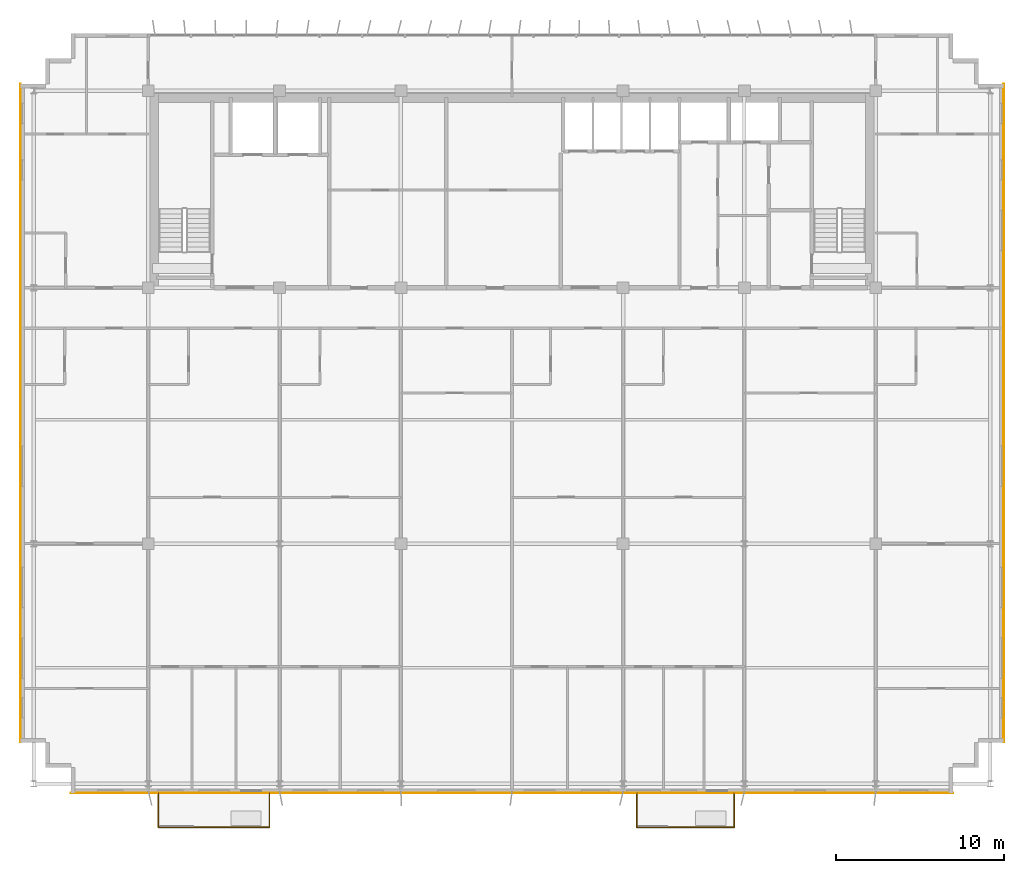
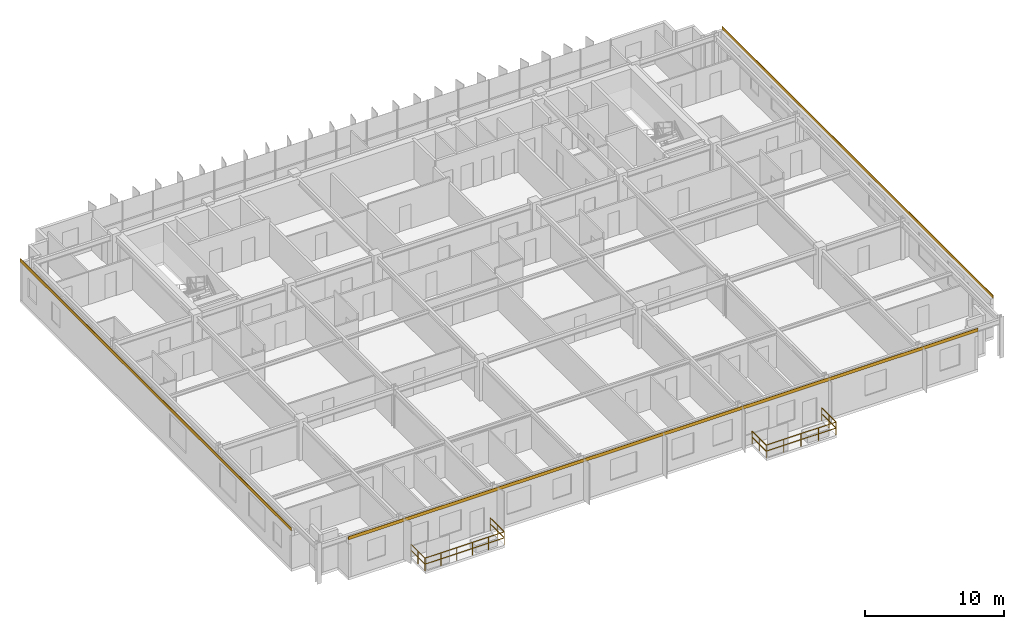
# One storey, part 22 of 23: 6 railings, 3 coverings.
"""IFC4 building model written with IfcOpenShell, lengths in metres."""

from ifc_helpers import new_model, si_unit, direction, frame, origin, origin_2d, place, context, subcontext, project, spatial, rectangle, extrude, source, transform, mapped, material, layer, layer_set, type_object, element, save


model = new_model("IFC4")

# Units and contexts
model_context = context("Model", 3, precision=1e-05, world=origin(), true_north=direction((0.0, 1.0)))
body_context = subcontext(model_context, "Body", "Model", "MODEL_VIEW")
ifc_project = project(units=[si_unit("LENGTHUNIT", "METRE"), si_unit("AREAUNIT", "SQUARE_METRE"), si_unit("VOLUMEUNIT", "CUBIC_METRE"), si_unit("PLANEANGLEUNIT", "RADIAN"), si_unit("MASSUNIT", "GRAM", prefix="KILO")], contexts=[model_context])

# Site, building, storey
site_placement = place(None, origin())
site = spatial("IfcSite", under=ifc_project, at=site_placement, CompositionType="ELEMENT")
building_placement = place(site_placement, origin())
building = spatial("IfcBuilding", under=site, at=building_placement, Name="Trelvane Seafront Commons", CompositionType="ELEMENT")
storey_placement = place(building_placement, frame((0.0, 0.0, 226.5)))
storey = spatial("IfcBuildingStorey", under=building, at=storey_placement, Name="L59", CompositionType="ELEMENT", Elevation=226.5)

# Railings
ifc_material_1 = material(Name="Stainless steel balustrade", Category="steel")
railing_type = type_object("IfcRailingType", Name="ARCH-RAIL-BAL1150", PredefinedType="BALUSTRADE", material=ifc_material_1)
railing_1_placement = place(storey_placement, frame((16.199951171875, 3.39990234375, 0.0)))
element("IfcRailing", 1, at=railing_1_placement, inside=storey, type_object=railing_type, Name="RL-L59-BAL0-01", PredefinedType="BALUSTRADE", context=body_context, shape_type="SweptSolid", body=[
    extrude(rectangle(XDim=0.048095703125, YDim=0.048095703125, at=origin_2d()), frame((0.0, 0.0, 1.1259765625), z_axis=(0.0, -1.0, 0.0), x_axis=(1.0, 0.0, 0.0)), (0.0, 0.0, 1.0), 2.039794921875),
    extrude(rectangle(XDim=0.048095703125, YDim=0.048095703125, at=origin_2d()), frame((0.0, 0.0, 0.597900390625), z_axis=(0.0, -1.0, 0.0), x_axis=(1.0, 0.0, 0.0)), (0.0, 0.0, 1.0), 2.039794921875),
    extrude(rectangle(XDim=0.0419921875, YDim=0.0419921875, at=origin_2d()), origin(), (0.0, 0.0, 1.0), 1.1259765625),
    extrude(rectangle(XDim=0.0419921875, YDim=0.0419921875, at=origin_2d()), frame((0.0, -1.02001953125, 0.0)), (0.0, 0.0, 1.0), 1.1259765625),
    extrude(rectangle(XDim=0.0419921875, YDim=0.0419921875, at=origin_2d()), frame((0.0, -2.039794921875, 0.0)), (0.0, 0.0, 1.0), 1.1259765625),
])
railing_2_placement = place(storey_placement, frame((16.199951171875, 1.360107421875, 0.0)))
element("IfcRailing", 2, at=railing_2_placement, inside=storey, type_object=railing_type, Name="RL-L59-BAL0-02", PredefinedType="BALUSTRADE", context=body_context, shape_type="SweptSolid", body=[
    extrude(rectangle(XDim=0.048095703125, YDim=0.048095703125, at=origin_2d()), frame((0.0, 0.0, 1.1259765625), z_axis=(1.0, 0.0, 0.0), x_axis=(0.0, 1.0, 0.0)), (0.0, 0.0, 1.0), 6.60009765625),
    extrude(rectangle(XDim=0.048095703125, YDim=0.048095703125, at=origin_2d()), frame((0.0, 0.0, 0.597900390625), z_axis=(1.0, 0.0, 0.0), x_axis=(0.0, 1.0, 0.0)), (0.0, 0.0, 1.0), 6.60009765625),
    extrude(rectangle(XDim=0.0419921875, YDim=0.0419921875, at=origin_2d()), origin(), (0.0, 0.0, 1.0), 1.1259765625),
    extrude(rectangle(XDim=0.0419921875, YDim=0.0419921875, at=origin_2d()), frame((1.320068359375, 0.0, 0.0)), (0.0, 0.0, 1.0), 1.1259765625),
    extrude(rectangle(XDim=0.0419921875, YDim=0.0419921875, at=origin_2d()), frame((2.64013671875, 0.0, 0.0)), (0.0, 0.0, 1.0), 1.1259765625),
    extrude(rectangle(XDim=0.0419921875, YDim=0.0419921875, at=origin_2d()), frame((3.9599609375, 0.0, 0.0)), (0.0, 0.0, 1.0), 1.1259765625),
    extrude(rectangle(XDim=0.0419921875, YDim=0.0419921875, at=origin_2d()), frame((5.280029296875, 0.0, 0.0)), (0.0, 0.0, 1.0), 1.1259765625),
    extrude(rectangle(XDim=0.0419921875, YDim=0.0419921875, at=origin_2d()), frame((6.60009765625, 0.0, 0.0)), (0.0, 0.0, 1.0), 1.1259765625),
])
railing_3_placement = place(storey_placement, frame((22.800048828125, 1.360107421875, 0.0)))
element("IfcRailing", 3, at=railing_3_placement, inside=storey, type_object=railing_type, Name="RL-L59-BAL0-03", PredefinedType="BALUSTRADE", context=body_context, shape_type="SweptSolid", body=[
    extrude(rectangle(XDim=0.048095703125, YDim=0.048095703125, at=origin_2d()), frame((0.0, 0.0, 1.1259765625), z_axis=(0.0, 1.0, 0.0), x_axis=(-1.0, 0.0, 0.0)), (0.0, 0.0, 1.0), 2.039794921875),
    extrude(rectangle(XDim=0.048095703125, YDim=0.048095703125, at=origin_2d()), frame((0.0, 0.0, 0.597900390625), z_axis=(0.0, 1.0, 0.0), x_axis=(-1.0, 0.0, 0.0)), (0.0, 0.0, 1.0), 2.039794921875),
    extrude(rectangle(XDim=0.0419921875, YDim=0.0419921875, at=origin_2d()), origin(), (0.0, 0.0, 1.0), 1.1259765625),
    extrude(rectangle(XDim=0.0419921875, YDim=0.0419921875, at=origin_2d()), frame((0.0, 1.02001953125, 0.0)), (0.0, 0.0, 1.0), 1.1259765625),
    extrude(rectangle(XDim=0.0419921875, YDim=0.0419921875, at=origin_2d()), frame((0.0, 2.039794921875, 0.0)), (0.0, 0.0, 1.0), 1.1259765625),
])
railing_4_placement = place(storey_placement, frame((44.60009765625, 3.39990234375, 0.0)))
element("IfcRailing", 4, at=railing_4_placement, inside=storey, type_object=railing_type, Name="RL-L59-BAL1-01", PredefinedType="BALUSTRADE", context=body_context, shape_type="SweptSolid", body=[
    extrude(rectangle(XDim=0.048095703125, YDim=0.048095703125, at=origin_2d()), frame((0.0, 0.0, 1.1259765625), z_axis=(0.0, -1.0, 0.0), x_axis=(1.0, 0.0, 0.0)), (0.0, 0.0, 1.0), 2.039794921875),
    extrude(rectangle(XDim=0.048095703125, YDim=0.048095703125, at=origin_2d()), frame((0.0, 0.0, 0.597900390625), z_axis=(0.0, -1.0, 0.0), x_axis=(1.0, 0.0, 0.0)), (0.0, 0.0, 1.0), 2.039794921875),
    extrude(rectangle(XDim=0.0419921875, YDim=0.0419921875, at=origin_2d()), origin(), (0.0, 0.0, 1.0), 1.1259765625),
    extrude(rectangle(XDim=0.0419921875, YDim=0.0419921875, at=origin_2d()), frame((0.0, -1.02001953125, 0.0)), (0.0, 0.0, 1.0), 1.1259765625),
    extrude(rectangle(XDim=0.0419921875, YDim=0.0419921875, at=origin_2d()), frame((0.0, -2.039794921875, 0.0)), (0.0, 0.0, 1.0), 1.1259765625),
])
railing_5_placement = place(storey_placement, frame((44.60009765625, 1.360107421875, 0.0)))
element("IfcRailing", 5, at=railing_5_placement, inside=storey, type_object=railing_type, Name="RL-L59-BAL1-02", PredefinedType="BALUSTRADE", context=body_context, shape_type="SweptSolid", body=[
    extrude(rectangle(XDim=0.048095703125, YDim=0.048095703125, at=origin_2d()), frame((0.0, 0.0, 1.1259765625), z_axis=(1.0, 0.0, 0.0), x_axis=(0.0, 1.0, 0.0)), (0.0, 0.0, 1.0), 5.7998046875),
    extrude(rectangle(XDim=0.048095703125, YDim=0.048095703125, at=origin_2d()), frame((0.0, 0.0, 0.597900390625), z_axis=(1.0, 0.0, 0.0), x_axis=(0.0, 1.0, 0.0)), (0.0, 0.0, 1.0), 5.7998046875),
    extrude(rectangle(XDim=0.0419921875, YDim=0.0419921875, at=origin_2d()), origin(), (0.0, 0.0, 1.0), 1.1259765625),
    extrude(rectangle(XDim=0.0419921875, YDim=0.0419921875, at=origin_2d()), frame((1.449951171875, 0.0, 0.0)), (0.0, 0.0, 1.0), 1.1259765625),
    extrude(rectangle(XDim=0.0419921875, YDim=0.0419921875, at=origin_2d()), frame((2.89990234375, 0.0, 0.0)), (0.0, 0.0, 1.0), 1.1259765625),
    extrude(rectangle(XDim=0.0419921875, YDim=0.0419921875, at=origin_2d()), frame((4.349853515625, 0.0, 0.0)), (0.0, 0.0, 1.0), 1.1259765625),
    extrude(rectangle(XDim=0.0419921875, YDim=0.0419921875, at=origin_2d()), frame((5.7998046875, 0.0, 0.0)), (0.0, 0.0, 1.0), 1.1259765625),
])
railing_6_placement = place(storey_placement, frame((50.39990234375, 1.360107421875, 0.0)))
element("IfcRailing", 6, at=railing_6_placement, inside=storey, type_object=railing_type, Name="RL-L59-BAL1-03", PredefinedType="BALUSTRADE", context=body_context, shape_type="SweptSolid", body=[
    extrude(rectangle(XDim=0.048095703125, YDim=0.048095703125, at=origin_2d()), frame((0.0, 0.0, 1.1259765625), z_axis=(0.0, 1.0, 0.0), x_axis=(-1.0, 0.0, 0.0)), (0.0, 0.0, 1.0), 2.039794921875),
    extrude(rectangle(XDim=0.048095703125, YDim=0.048095703125, at=origin_2d()), frame((0.0, 0.0, 0.597900390625), z_axis=(0.0, 1.0, 0.0), x_axis=(-1.0, 0.0, 0.0)), (0.0, 0.0, 1.0), 2.039794921875),
    extrude(rectangle(XDim=0.0419921875, YDim=0.0419921875, at=origin_2d()), origin(), (0.0, 0.0, 1.0), 1.1259765625),
    extrude(rectangle(XDim=0.0419921875, YDim=0.0419921875, at=origin_2d()), frame((0.0, 1.02001953125, 0.0)), (0.0, 0.0, 1.0), 1.1259765625),
    extrude(rectangle(XDim=0.0419921875, YDim=0.0419921875, at=origin_2d()), frame((0.0, 2.039794921875, 0.0)), (0.0, 0.0, 1.0), 1.1259765625),
])

# Coverings
ifc_material_2 = material(Name="Anodised pale-silver aluminium", Category="aluminium")
ifc_layer = layer(ifc_material_2, 0.034912109375, Name="ARCH-COV-CLAD35")
ifc_layer_set = layer_set([ifc_layer], Name="Anodised pale-silver aluminium")
covering_type = type_object("IfcCoveringType", Name="ARCH-COV-CLAD35", PredefinedType="CLADDING", material=ifc_layer_set)
shared_shape_1 = source(origin(), body_context, "Body", "SweptSolid", [
    extrude(rectangle(XDim=39.10009765625, YDim=0.034912109375, at=origin_2d()), origin(), (0.0, 0.0, 1.0), 0.280029296875),
])
for number, where, z_axis, x_axis, name in (
    (7, (8.0, 25.949951171875, 3.31982421875), (0.0, 0.0, 1.0), (0.0, 1.0, 0.0), "CLD-L59-00241"),
    (8, (66.39990234375, 25.949951171875, 3.31982421875), (0.0, 0.0, 1.0), (0.0, -1.0, 0.0), "CLD-L59-00242"),
):
    element("IfcCovering", number, at=place(storey_placement, frame(where, z_axis=z_axis, x_axis=x_axis)), inside=storey, type_object=covering_type, Name=name, PredefinedType="CLADDING", context=body_context, shape_type="MappedRepresentation", body=[
        mapped(shared_shape_1, transform((0.0, 0.0, 0.0), x_axis=(1.0, 0.0, 0.0), y_axis=(0.0, 1.0, 0.0), z_axis=(0.0, 0.0, 1.0), scale=1.0)),
    ])
shared_shape_2 = source(origin(), body_context, "Body", "SweptSolid", [
    extrude(rectangle(XDim=52.39990234375, YDim=0.034912109375, at=origin_2d()), origin(), (0.0, 0.0, 1.0), 0.280029296875),
])
covering_placement = place(storey_placement, frame((37.199951171875, 3.39990234375, 3.31982421875), z_axis=(0.0, 0.0, 1.0), x_axis=(-1.0, 0.0, 0.0)))
element("IfcCovering", 9, at=covering_placement, inside=storey, type_object=covering_type, Name="CLD-L59-00243", PredefinedType="CLADDING", context=body_context, shape_type="MappedRepresentation", body=[
    mapped(shared_shape_2, transform((0.0, 0.0, 0.0), x_axis=(1.0, 0.0, 0.0), y_axis=(0.0, 1.0, 0.0), z_axis=(0.0, 0.0, 1.0), scale=1.0)),
])

save(model, "model.ifc")
